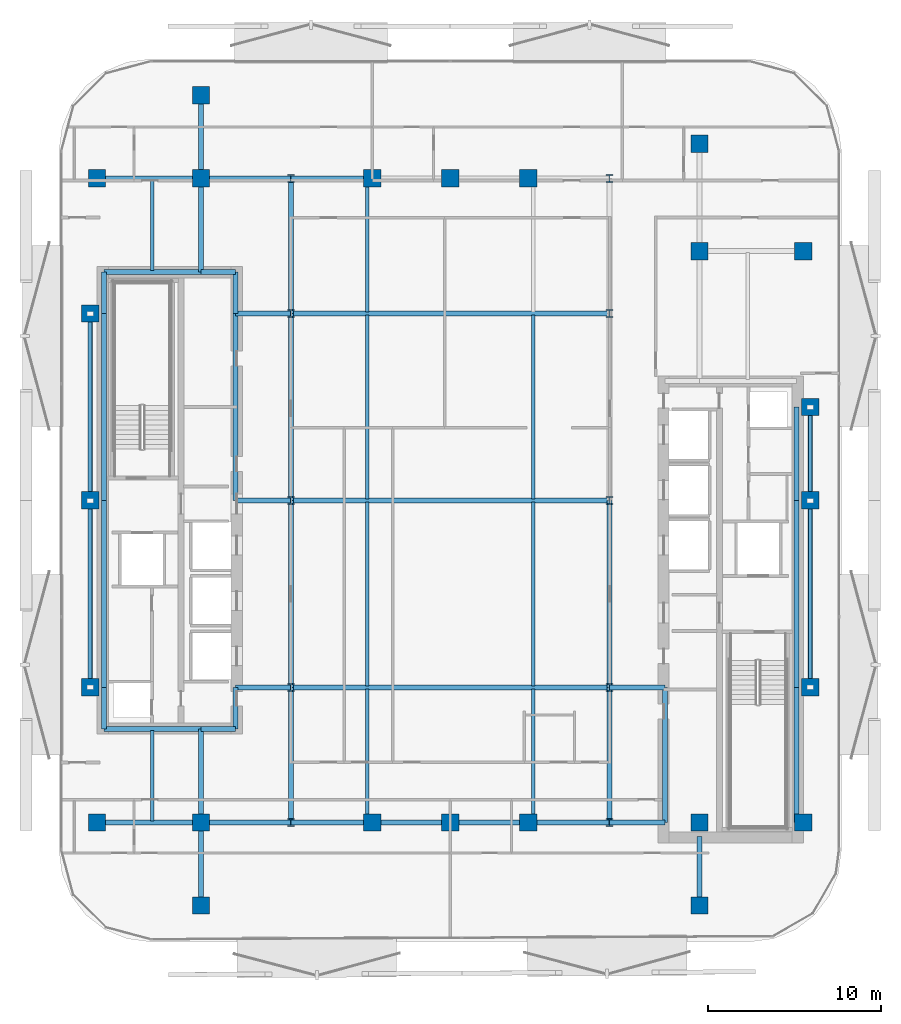
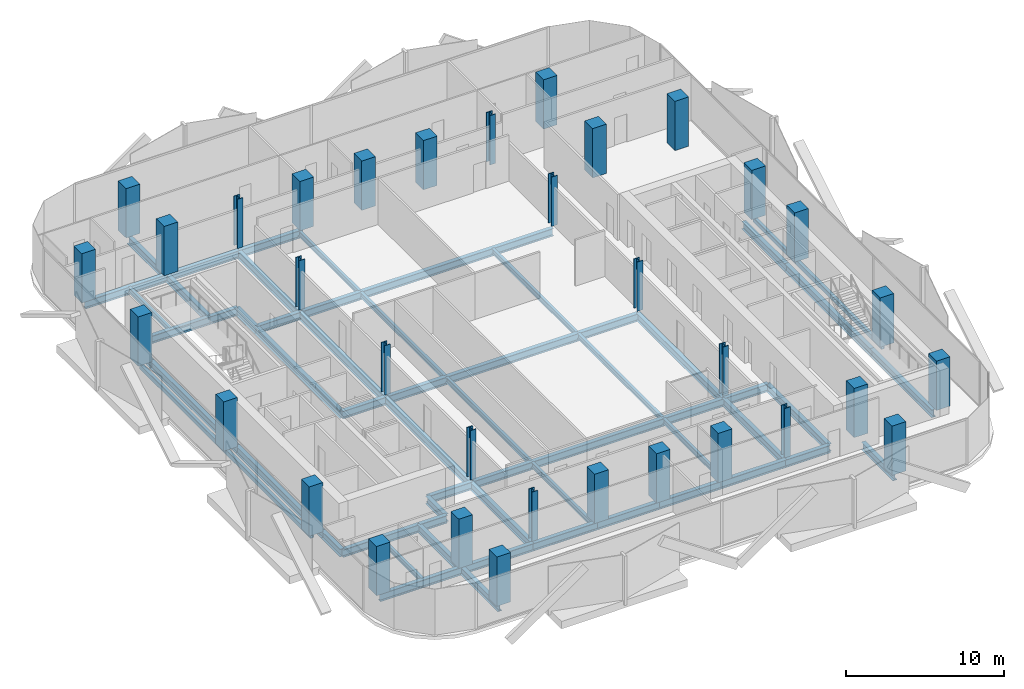
# One storey, part 1 of 16: 56 beams, 34 columns.
"""IFC4 building model written with IfcOpenShell, lengths in metres."""

import ifcopenshell
import ifcopenshell.guid

model = None  # the IFC model being written
_history = None  # IfcOwnerHistory: only IFC2X3 demands one
_inside = {}  # id of a spatial element -> (the spatial element, [elements in it])
_under = {}  # id of a project, library or spatial element -> (it, [spatial elements below it])
_declared = {}  # id of a project -> (the project, [libraries it declares])
_typed = {}  # id of a type object -> (the type object, [elements of that type])
_made_of = {}  # id of a material, layer set ... -> (it, [elements and type objects made of it])


def new_model(schema):
    """Start an empty IFC model of exactly this schema.

    Asked for "IFC4X3", IfcOpenShell would pick the latest addendum, in which some entities
    have other attributes; the version numbers below select the first issue.
    IFC2X3 requires an IfcOwnerHistory on every rooted entity: one is made here for all.
    """
    global model, _history
    if schema == "IFC4X3":
        model = ifcopenshell.file(schema_version=(4, 3, 0, 0))
    else:
        model = ifcopenshell.file(schema=schema)
    _inside.clear()
    _under.clear()
    _declared.clear()
    _typed.clear()
    _made_of.clear()
    _history = None
    if model.schema == "IFC2X3":
        org = make("IfcOrganization", Name="unknown")
        user = make(
            "IfcPersonAndOrganization",
            ThePerson=make("IfcPerson", FamilyName="unknown"),
            TheOrganization=org,
        )
        app = make(
            "IfcApplication",
            ApplicationDeveloper=org,
            Version="unknown",
            ApplicationFullName="unknown",
            ApplicationIdentifier="unknown",
        )
        _history = make(
            "IfcOwnerHistory",
            OwningUser=user,
            OwningApplication=app,
            ChangeAction="ADDED",
            CreationDate=0,
        )
    return model


def make(cls, **values):
    """One entity of the class cls with the attributes given. An attribute that is None is left unset."""
    return model.create_entity(
        cls, **{name: value for name, value in values.items() if value is not None}
    )


def rooted(cls, **values):
    """An entity with a GlobalId (a new one), such as an element, a storey or a relation."""
    return make(cls, GlobalId=ifcopenshell.guid.new(), OwnerHistory=_history, **values)


def si_unit(unit_type, name, prefix=None):
    """IfcSIUnit, for example si_unit("LENGTHUNIT", "METRE", prefix="MILLI")."""
    return make("IfcSIUnit", UnitType=unit_type, Prefix=prefix, Name=name)


def assignment(units):
    """IfcUnitAssignment: the units of a project."""
    return None if units is None else make("IfcUnitAssignment", Units=units)


def point(xyz):
    """IfcCartesianPoint."""
    return None if xyz is None else make("IfcCartesianPoint", Coordinates=xyz)


def direction(xyz):
    """IfcDirection."""
    return None if xyz is None else make("IfcDirection", DirectionRatios=xyz)


def frame(location, z_axis=None, x_axis=None):
    """IfcAxis2Placement3D, a coordinate frame: its origin and axes. An axis left out is left unset."""
    return make(
        "IfcAxis2Placement3D",
        Location=point(location),
        Axis=direction(z_axis),
        RefDirection=direction(x_axis),
    )


def frame_2d(location, x_axis=None):
    """IfcAxis2Placement2D, a coordinate frame in the plane: its origin and x axis."""
    return make(
        "IfcAxis2Placement2D", Location=point(location), RefDirection=direction(x_axis)
    )


def origin():
    """The frame at (0, 0, 0) with its axes left unset."""
    return frame((0.0, 0.0, 0.0))


def origin_2d():
    """The frame at (0, 0) in the plane with its x axis left unset."""
    return frame_2d((0.0, 0.0))


def place(relative_to, where):
    """IfcLocalPlacement: puts the frame where relative to a parent placement (None: the world)."""
    return make(
        "IfcLocalPlacement", PlacementRelTo=relative_to, RelativePlacement=where
    )


def context(
    kind, dimensions, precision=None, world=None, true_north=None, identifier=None
):
    """IfcGeometricRepresentationContext, for example the 3D "Model" context."""
    return make(
        "IfcGeometricRepresentationContext",
        ContextIdentifier=identifier,
        ContextType=kind,
        CoordinateSpaceDimension=dimensions,
        Precision=precision,
        WorldCoordinateSystem=world,
        TrueNorth=true_north,
    )


def subcontext(parent, identifier, kind, view, scale=None):
    """IfcGeometricRepresentationSubContext, for example "Body" below "Model"."""
    return make(
        "IfcGeometricRepresentationSubContext",
        ContextIdentifier=identifier,
        ContextType=kind,
        ParentContext=parent,
        TargetScale=scale,
        TargetView=view,
    )


def project(units=None, contexts=None):
    """IfcProject with its units and contexts."""
    return rooted(
        "IfcProject",
        Name="project",
        RepresentationContexts=contexts,
        UnitsInContext=assignment(units),
    )


def spatial(cls, under=None, at=None, **own):
    """A site, building, storey or space (cls), placed at a placement, below another one or the project."""
    s = rooted(cls, ObjectPlacement=at, **own)
    if under is not None:
        _under.setdefault(under.id(), (under, []))[1].append(s)
    return s


def profile(cls, at=None, kind="AREA", **sizes):
    """A parametric profile (cls). Its sizes go by their IFC names, for example OverallWidth=200.0."""
    return make(cls, ProfileType=kind, Position=at, **sizes)


def rectangle(**sizes):
    """IfcRectangleProfileDef."""
    return profile("IfcRectangleProfileDef", **sizes)


def hollow_rectangle(**sizes):
    """IfcRectangleHollowProfileDef."""
    return profile("IfcRectangleHollowProfileDef", **sizes)


def i_section(**sizes):
    """IfcIShapeProfileDef."""
    return profile("IfcIShapeProfileDef", **sizes)


def extrude(swept, where, along, depth):
    """IfcExtrudedAreaSolid: the profile swept, set in the frame where, extruded along a direction by depth."""
    return make(
        "IfcExtrudedAreaSolid",
        SweptArea=swept,
        Position=where,
        ExtrudedDirection=direction(along),
        Depth=depth,
    )


def shape(context_of_items, identifier, shape_type, items):
    """IfcShapeRepresentation: the items that make up one representation, for example the "Body"."""
    return make(
        "IfcShapeRepresentation",
        ContextOfItems=context_of_items,
        RepresentationIdentifier=identifier,
        RepresentationType=shape_type,
        Items=items,
    )


def material(Name=None, Category=None):
    """IfcMaterial."""
    return make("IfcMaterial", Name=Name, Category=Category)


def material_profile(
    of_material, cross_section, Name=None, Category=None, Priority=None
):
    """IfcMaterialProfile: a cross section and its material."""
    return make(
        "IfcMaterialProfile",
        Name=Name,
        Material=of_material,
        Profile=cross_section,
        Priority=Priority,
        Category=Category,
    )


def profile_set(profiles, Name=None, composite=None):
    """IfcMaterialProfileSet."""
    return make(
        "IfcMaterialProfileSet",
        Name=Name,
        MaterialProfiles=profiles,
        CompositeProfile=composite,
    )


def made_of(thing, what):
    """Note that an element or type object is made of a material, layer set ...; save() writes the relation."""
    if what is not None:
        _made_of.setdefault(what.id(), (what, []))[1].append(thing)
    return thing


def type_object(cls, material=None, **own):
    """A type object (cls), such as IfcWallType, which elements share."""
    return made_of(rooted(cls, **own), material)


def element(
    cls,
    number,
    at=None,
    inside=None,
    cuts=None,
    type_object=None,
    material=None,
    context=None,
    identifier="Body",
    shape_type=None,
    held_by="IfcProductDefinitionShape",
    body=None,
    shapes=None,
    **own,
):
    """One element of the class cls, such as IfcWall. Its Tag is "e" and its number.

    at: its placement. inside: the storey or other place that contains it. cuts: it is an
    opening in that element (IfcRelVoidsElement). A single representation is given by context,
    identifier, shape_type and body (its items); several are given by shapes. held_by: the class
    of the entity that holds the representations. save() writes the other relations.
    """
    e = rooted(cls, Tag="e%d" % number, ObjectPlacement=at, **own)
    if body is not None:
        shapes = [shape(context, identifier, shape_type, body)]
    if shapes is not None:
        e.Representation = make(held_by, Representations=shapes)
    if inside is not None:
        _inside.setdefault(inside.id(), (inside, []))[1].append(e)
    if cuts is not None:
        rooted(
            "IfcRelVoidsElement", RelatingBuildingElement=cuts, RelatedOpeningElement=e
        )
    if type_object is not None:
        _typed.setdefault(type_object.id(), (type_object, []))[1].append(e)
    return made_of(e, material)


def aggregate(whole, parts):
    """IfcRelAggregates: a whole, such as a stair, and the parts it consists of."""
    return rooted("IfcRelAggregates", RelatingObject=whole, RelatedObjects=parts)


def save(model, path):
    """Write the relations noted so far, then the file.

    IfcRelAggregates (storeys below a building ...), IfcRelContainedInSpatialStructure (elements
    in a storey), IfcRelDefinesByType, IfcRelAssociatesMaterial and IfcRelDeclares: one each for
    every whole, place, type object, material and project.
    """
    for whole, parts in _under.values():
        aggregate(whole, parts)
    for where, things in _inside.values():
        rooted(
            "IfcRelContainedInSpatialStructure",
            RelatedElements=things,
            RelatingStructure=where,
        )
    for kind, things in _typed.values():
        rooted("IfcRelDefinesByType", RelatedObjects=things, RelatingType=kind)
    for what, things in _made_of.values():
        rooted("IfcRelAssociatesMaterial", RelatedObjects=things, RelatingMaterial=what)
    for by, libraries in _declared.values():
        rooted("IfcRelDeclares", RelatingContext=by, RelatedDefinitions=libraries)
    model.write(path)


model = new_model("IFC4")

# Units and contexts
model_context = context("Model", 3, precision=1e-05, world=origin(), true_north=direction((0.0, 1.0)))
body_context = subcontext(model_context, "Body", "Model", "MODEL_VIEW")
ifc_project = project(units=[si_unit("LENGTHUNIT", "METRE"), si_unit("AREAUNIT", "SQUARE_METRE"), si_unit("VOLUMEUNIT", "CUBIC_METRE"), si_unit("PLANEANGLEUNIT", "RADIAN"), si_unit("MASSUNIT", "GRAM", prefix="KILO")], contexts=[model_context])

# Site, building, storey
site_placement = place(None, origin())
site = spatial("IfcSite", under=ifc_project, at=site_placement, CompositionType="ELEMENT")
building_placement = place(site_placement, origin())
building = spatial("IfcBuilding", under=site, at=building_placement, Name="Khairoan Windgate Tower", CompositionType="ELEMENT")
storey_placement = place(building_placement, frame((0.0, 0.0, 206.800048828125)))
storey = spatial("IfcBuildingStorey", under=building, at=storey_placement, Name="L48", CompositionType="ELEMENT", Elevation=206.800048828125)

# Columns
ifc_material_1 = material(Name="Concrete C50/60", Category="concrete")
ifc_material_profile_1 = material_profile(ifc_material_1, rectangle(XDim=1.0, YDim=1.0, at=origin_2d()))
ifc_profile_set_1 = profile_set([ifc_material_profile_1], Name="Concrete C50/60")
column_type_1 = type_object("IfcColumnType", Name="Column C-T4 RC1000x1000", PredefinedType="COLUMN", material=ifc_profile_set_1)
for number, where, z_axis, x_axis, name in (
    (1, (-20.39990234375, -18.60009765625, 0.0), (0.0, 0.0, 1.0), (1.0, 0.0, 0.0), "Column L48-11"),
    (2, (-20.39990234375, 18.60009765625, 0.0), (0.0, 0.0, 1.0), (1.0, 0.0, 0.0), "Column L48-12"),
    (3, (20.39990234375, -18.60009765625, 0.0), (0.0, 0.0, 1.0), (1.0, 0.0, 0.0), "Column L48-13"),
    (4, (20.39990234375, 14.39990234375, 0.0), (0.0, 0.0, 1.0), (1.0, 0.0, 0.0), "Column L48-14"),
    (5, (-14.39990234375, -18.60009765625, 0.0), (0.0, 0.0, 1.0), (1.0, 0.0, 0.0), "Column L48-15"),
    (6, (-14.39990234375, 18.60009765625, 0.0), (0.0, 0.0, 1.0), (1.0, 0.0, 0.0), "Column L48-16"),
    (7, (14.39990234375, -18.60009765625, 0.0), (0.0, 0.0, 1.0), (1.0, 0.0, 0.0), "Column L48-17"),
    (8, (14.39990234375, 14.39990234375, 0.0), (0.0, 0.0, 1.0), (1.0, 0.0, 0.0), "Column L48-18"),
    (9, (-4.5, -18.60009765625, 0.0), (0.0, 0.0, 1.0), (1.0, 0.0, 0.0), "Column L48-19"),
    (10, (0.0, -18.60009765625, 0.0), (0.0, 0.0, 1.0), (1.0, 0.0, 0.0), "Column L48-20"),
    (11, (4.5, -18.60009765625, 0.0), (0.0, 0.0, 1.0), (1.0, 0.0, 0.0), "Column L48-21"),
    (12, (-4.5, 18.60009765625, 0.0), (0.0, 0.0, 1.0), (1.0, 0.0, 0.0), "Column L48-22"),
    (13, (0.0, 18.60009765625, 0.0), (0.0, 0.0, 1.0), (1.0, 0.0, 0.0), "Column L48-23"),
    (14, (4.5, 18.60009765625, 0.0), (0.0, 0.0, 1.0), (1.0, 0.0, 0.0), "Column L48-24"),
    (15, (-20.800048828125, -10.800048828125, 0.0), (0.0, 0.0, 1.0), (1.0, 0.0, 0.0), "Column L48-25"),
    (16, (-20.800048828125, 0.0, 0.0), (0.0, 0.0, 1.0), (1.0, 0.0, 0.0), "Column L48-26"),
    (17, (-20.800048828125, 10.800048828125, 0.0), (0.0, 0.0, 1.0), (1.0, 0.0, 0.0), "Column L48-27"),
    (18, (20.800048828125, -10.800048828125, 0.0), (0.0, 0.0, 1.0), (1.0, 0.0, 0.0), "Column L48-28"),
    (19, (20.800048828125, 0.0, 0.0), (0.0, 0.0, 1.0), (1.0, 0.0, 0.0), "Column L48-29"),
    (20, (20.800048828125, 5.39990234375, 0.0), (0.0, 0.0, 1.0), (1.0, 0.0, 0.0), "Column L48-30"),
    (21, (-14.39990234375, -23.39990234375, 0.0), (0.0, 0.0, 1.0), (1.0, 0.0, 0.0), "Column L48-31"),
    (22, (-14.39990234375, 23.39990234375, 0.0), (0.0, 0.0, 1.0), (1.0, 0.0, 0.0), "Column L48-32"),
    (23, (14.39990234375, -23.39990234375, 0.0), (0.0, 0.0, 1.0), (1.0, 0.0, 0.0), "Column L48-33"),
    (24, (14.39990234375, 20.60009765625, 0.0), (0.0, 0.0, 1.0), (1.0, 0.0, 0.0), "Column L48-34"),
):
    element("IfcColumn", number, at=place(storey_placement, frame(where, z_axis=z_axis, x_axis=x_axis)), inside=storey, type_object=column_type_1, Name=name, PredefinedType="COLUMN", context=body_context, shape_type="SweptSolid", body=[
        extrude(rectangle(XDim=1.0, YDim=1.0, at=origin_2d()), origin(), (0.0, 0.0, 1.0), 3.800048828125),
    ])
ifc_material_2 = material(Name="Steel S355", Category="steel")
ifc_material_profile_2 = material_profile(ifc_material_2, i_section(OverallWidth=0.4169921875, OverallDepth=0.4580078125, WebThickness=0.030029296875, FlangeThickness=0.050048828125, FilletRadius=0.02197265625, at=origin_2d()))
ifc_profile_set_2 = profile_set([ifc_material_profile_2], Name="Steel S355")
column_type_2 = type_object("IfcColumnType", Name="Steel Column SC2 H458x417x30x50", PredefinedType="COLUMN", material=ifc_profile_set_2)
for number, where, z_axis, x_axis, name in (
    (25, (-9.199951171875, -18.60009765625, 0.0), (0.0, 0.0, 1.0), (1.0, 0.0, 0.0), "Column L48-01"),
    (26, (-9.199951171875, -10.800048828125, 0.0), (0.0, 0.0, 1.0), (1.0, 0.0, 0.0), "Column L48-02"),
    (27, (-9.199951171875, 0.0, 0.0), (0.0, 0.0, 1.0), (1.0, 0.0, 0.0), "Column L48-03"),
    (28, (-9.199951171875, 10.800048828125, 0.0), (0.0, 0.0, 1.0), (1.0, 0.0, 0.0), "Column L48-04"),
    (29, (-9.199951171875, 18.60009765625, 0.0), (0.0, 0.0, 1.0), (1.0, 0.0, 0.0), "Column L48-05"),
    (30, (9.199951171875, -18.60009765625, 0.0), (0.0, 0.0, 1.0), (1.0, 0.0, 0.0), "Column L48-06"),
    (31, (9.199951171875, -10.800048828125, 0.0), (0.0, 0.0, 1.0), (1.0, 0.0, 0.0), "Column L48-07"),
    (32, (9.199951171875, 0.0, 0.0), (0.0, 0.0, 1.0), (1.0, 0.0, 0.0), "Column L48-08"),
    (33, (9.199951171875, 10.800048828125, 0.0), (0.0, 0.0, 1.0), (1.0, 0.0, 0.0), "Column L48-09"),
    (34, (9.199951171875, 18.60009765625, 0.0), (0.0, 0.0, 1.0), (1.0, 0.0, 0.0), "Column L48-10"),
):
    element("IfcColumn", number, at=place(storey_placement, frame(where, z_axis=z_axis, x_axis=x_axis)), inside=storey, type_object=column_type_2, Name=name, PredefinedType="COLUMN", context=body_context, shape_type="SweptSolid", body=[
        extrude(i_section(OverallWidth=0.4169921875, OverallDepth=0.4580078125, WebThickness=0.030029296875, FlangeThickness=0.050048828125, FilletRadius=0.02197265625, at=origin_2d()), origin(), (0.0, 0.0, 1.0), 3.800048828125),
    ])

# Beams
ifc_material_3 = material(Name="Steel S355", Category="steel")
ifc_material_profile_3 = material_profile(ifc_material_3, i_section(OverallWidth=0.300048828125, OverallDepth=0.587890625, WebThickness=0.011962890625, FlangeThickness=0.02001953125, FilletRadius=0.02392578125, at=origin_2d()))
ifc_profile_set_3 = profile_set([ifc_material_profile_3], Name="Steel S355")
beam_type_1 = type_object("IfcBeamType", Name="Beam B-G4 H588x300x12x20", PredefinedType="BEAM", material=ifc_profile_set_3)
beam_1_placement = place(storey_placement, frame((-20.39990234375, -18.60009765625, -0.553955078125), z_axis=(1.0, 0.0, 0.0), x_axis=(0.0, 1.0, 0.0)))
element("IfcBeam", 35, at=beam_1_placement, inside=storey, type_object=beam_type_1, Name="L48 E-W Primary Girder 01", PredefinedType="BEAM", context=body_context, shape_type="SweptSolid", body=[
    extrude(i_section(OverallWidth=0.300048828125, OverallDepth=0.587890625, WebThickness=0.011962890625, FlangeThickness=0.02001953125, FilletRadius=0.02392578125, at=origin_2d()), origin(), (0.0, 0.0, 1.0), 6.0),
])
beam_2_placement = place(storey_placement, frame((-14.39990234375, -18.60009765625, -0.553955078125), z_axis=(1.0, 0.0, 0.0), x_axis=(0.0, 1.0, 0.0)))
element("IfcBeam", 36, at=beam_2_placement, inside=storey, type_object=beam_type_1, Name="L48 E-W Primary Girder 02", PredefinedType="BEAM", context=body_context, shape_type="SweptSolid", body=[
    extrude(i_section(OverallWidth=0.300048828125, OverallDepth=0.587890625, WebThickness=0.011962890625, FlangeThickness=0.02001953125, FilletRadius=0.02392578125, at=origin_2d()), origin(), (0.0, 0.0, 1.0), 5.199951171875),
])
beam_3_placement = place(storey_placement, frame((-9.199951171875, -18.60009765625, -0.553955078125), z_axis=(1.0, 0.0, 0.0), x_axis=(0.0, 1.0, 0.0)))
element("IfcBeam", 37, at=beam_3_placement, inside=storey, type_object=beam_type_1, Name="L48 E-W Primary Girder 03", PredefinedType="BEAM", context=body_context, shape_type="SweptSolid", body=[
    extrude(i_section(OverallWidth=0.300048828125, OverallDepth=0.587890625, WebThickness=0.011962890625, FlangeThickness=0.02001953125, FilletRadius=0.02392578125, at=origin_2d()), origin(), (0.0, 0.0, 1.0), 4.699951171875),
])
for number, where, z_axis, x_axis, name in (
    (38, (-4.5, -18.60009765625, -0.553955078125), (1.0, 0.0, 0.0), (0.0, 1.0, 0.0), "L48 E-W Primary Girder 04"),
    (39, (0.0, -18.60009765625, -0.553955078125), (1.0, 0.0, 0.0), (0.0, 1.0, 0.0), "L48 E-W Primary Girder 05"),
):
    element("IfcBeam", number, at=place(storey_placement, frame(where, z_axis=z_axis, x_axis=x_axis)), inside=storey, type_object=beam_type_1, Name=name, PredefinedType="BEAM", context=body_context, shape_type="SweptSolid", body=[
        extrude(i_section(OverallWidth=0.300048828125, OverallDepth=0.587890625, WebThickness=0.011962890625, FlangeThickness=0.02001953125, FilletRadius=0.02392578125, at=origin_2d()), origin(), (0.0, 0.0, 1.0), 4.5),
    ])
beam_4_placement = place(storey_placement, frame((4.5, -18.60009765625, -0.553955078125), z_axis=(1.0, 0.0, 0.0), x_axis=(0.0, 1.0, 0.0)))
element("IfcBeam", 40, at=beam_4_placement, inside=storey, type_object=beam_type_1, Name="L48 E-W Primary Girder 06", PredefinedType="BEAM", context=body_context, shape_type="SweptSolid", body=[
    extrude(i_section(OverallWidth=0.300048828125, OverallDepth=0.587890625, WebThickness=0.011962890625, FlangeThickness=0.02001953125, FilletRadius=0.02392578125, at=origin_2d()), origin(), (0.0, 0.0, 1.0), 4.699951171875),
])
beam_5_placement = place(storey_placement, frame((9.199951171875, -18.60009765625, -0.553955078125), z_axis=(1.0, 0.0, 0.0), x_axis=(0.0, 1.0, 0.0)))
element("IfcBeam", 41, at=beam_5_placement, inside=storey, type_object=beam_type_1, Name="L48 E-W Primary Girder 07", PredefinedType="BEAM", context=body_context, shape_type="SweptSolid", body=[
    extrude(i_section(OverallWidth=0.300048828125, OverallDepth=0.587890625, WebThickness=0.011962890625, FlangeThickness=0.02001953125, FilletRadius=0.02392578125, at=origin_2d()), origin(), (0.0, 0.0, 1.0), 3.199951171875),
])
beam_6_placement = place(storey_placement, frame((-20.0, -13.199951171875, -0.553955078125), z_axis=(1.0, 0.0, 0.0), x_axis=(0.0, 1.0, 0.0)))
element("IfcBeam", 42, at=beam_6_placement, inside=storey, type_object=beam_type_1, Name="L48 E-W Primary Girder 08", PredefinedType="BEAM", context=body_context, shape_type="SweptSolid", body=[
    extrude(i_section(OverallWidth=0.300048828125, OverallDepth=0.587890625, WebThickness=0.011962890625, FlangeThickness=0.02001953125, FilletRadius=0.02392578125, at=origin_2d()), origin(), (0.0, 0.0, 1.0), 5.60009765625),
])
beam_7_placement = place(storey_placement, frame((-14.39990234375, -13.199951171875, -0.553955078125), z_axis=(1.0, 0.0, 0.0), x_axis=(0.0, 1.0, 0.0)))
element("IfcBeam", 43, at=beam_7_placement, inside=storey, type_object=beam_type_1, Name="L48 E-W Primary Girder 09", PredefinedType="BEAM", context=body_context, shape_type="SweptSolid", body=[
    extrude(i_section(OverallWidth=0.300048828125, OverallDepth=0.587890625, WebThickness=0.011962890625, FlangeThickness=0.02001953125, FilletRadius=0.02392578125, at=origin_2d()), origin(), (0.0, 0.0, 1.0), 2.0),
])
beam_8_placement = place(storey_placement, frame((-12.39990234375, -10.800048828125, -0.553955078125), z_axis=(1.0, 0.0, 0.0), x_axis=(0.0, 1.0, 0.0)))
element("IfcBeam", 44, at=beam_8_placement, inside=storey, type_object=beam_type_1, Name="L48 E-W Primary Girder 10", PredefinedType="BEAM", context=body_context, shape_type="SweptSolid", body=[
    extrude(i_section(OverallWidth=0.300048828125, OverallDepth=0.587890625, WebThickness=0.011962890625, FlangeThickness=0.02001953125, FilletRadius=0.02392578125, at=origin_2d()), origin(), (0.0, 0.0, 1.0), 3.199951171875),
])
beam_9_placement = place(storey_placement, frame((-9.199951171875, -10.800048828125, -0.553955078125), z_axis=(1.0, 0.0, 0.0), x_axis=(0.0, 1.0, 0.0)))
element("IfcBeam", 45, at=beam_9_placement, inside=storey, type_object=beam_type_1, Name="L48 E-W Primary Girder 11", PredefinedType="BEAM", context=body_context, shape_type="SweptSolid", body=[
    extrude(i_section(OverallWidth=0.300048828125, OverallDepth=0.587890625, WebThickness=0.011962890625, FlangeThickness=0.02001953125, FilletRadius=0.02392578125, at=origin_2d()), origin(), (0.0, 0.0, 1.0), 18.39990234375),
])
for number, where, z_axis, x_axis, name in (
    (46, (9.199951171875, -10.800048828125, -0.553955078125), (1.0, 0.0, 0.0), (0.0, 1.0, 0.0), "L48 E-W Primary Girder 12"),
    (47, (-12.39990234375, 0.0, -0.553955078125), (1.0, 0.0, 0.0), (0.0, 1.0, 0.0), "L48 E-W Primary Girder 13"),
):
    element("IfcBeam", number, at=place(storey_placement, frame(where, z_axis=z_axis, x_axis=x_axis)), inside=storey, type_object=beam_type_1, Name=name, PredefinedType="BEAM", context=body_context, shape_type="SweptSolid", body=[
        extrude(i_section(OverallWidth=0.300048828125, OverallDepth=0.587890625, WebThickness=0.011962890625, FlangeThickness=0.02001953125, FilletRadius=0.02392578125, at=origin_2d()), origin(), (0.0, 0.0, 1.0), 3.199951171875),
    ])
beam_10_placement = place(storey_placement, frame((-9.199951171875, 0.0, -0.553955078125), z_axis=(1.0, 0.0, 0.0), x_axis=(0.0, 1.0, 0.0)))
element("IfcBeam", 48, at=beam_10_placement, inside=storey, type_object=beam_type_1, Name="L48 E-W Primary Girder 14", PredefinedType="BEAM", context=body_context, shape_type="SweptSolid", body=[
    extrude(i_section(OverallWidth=0.300048828125, OverallDepth=0.587890625, WebThickness=0.011962890625, FlangeThickness=0.02001953125, FilletRadius=0.02392578125, at=origin_2d()), origin(), (0.0, 0.0, 1.0), 18.39990234375),
])
beam_11_placement = place(storey_placement, frame((-12.39990234375, 10.800048828125, -0.553955078125), z_axis=(1.0, 0.0, 0.0), x_axis=(0.0, 1.0, 0.0)))
element("IfcBeam", 49, at=beam_11_placement, inside=storey, type_object=beam_type_1, Name="L48 E-W Primary Girder 17", PredefinedType="BEAM", context=body_context, shape_type="SweptSolid", body=[
    extrude(i_section(OverallWidth=0.300048828125, OverallDepth=0.587890625, WebThickness=0.011962890625, FlangeThickness=0.02001953125, FilletRadius=0.02392578125, at=origin_2d()), origin(), (0.0, 0.0, 1.0), 3.199951171875),
])
beam_12_placement = place(storey_placement, frame((-9.199951171875, 10.800048828125, -0.553955078125), z_axis=(1.0, 0.0, 0.0), x_axis=(0.0, 1.0, 0.0)))
element("IfcBeam", 50, at=beam_12_placement, inside=storey, type_object=beam_type_1, Name="L48 E-W Primary Girder 18", PredefinedType="BEAM", context=body_context, shape_type="SweptSolid", body=[
    extrude(i_section(OverallWidth=0.300048828125, OverallDepth=0.587890625, WebThickness=0.011962890625, FlangeThickness=0.02001953125, FilletRadius=0.02392578125, at=origin_2d()), origin(), (0.0, 0.0, 1.0), 18.39990234375),
])
beam_13_placement = place(storey_placement, frame((-20.0, 13.199951171875, -0.553955078125), z_axis=(1.0, 0.0, 0.0), x_axis=(0.0, 1.0, 0.0)))
element("IfcBeam", 51, at=beam_13_placement, inside=storey, type_object=beam_type_1, Name="L48 E-W Primary Girder 19", PredefinedType="BEAM", context=body_context, shape_type="SweptSolid", body=[
    extrude(i_section(OverallWidth=0.300048828125, OverallDepth=0.587890625, WebThickness=0.011962890625, FlangeThickness=0.02001953125, FilletRadius=0.02392578125, at=origin_2d()), origin(), (0.0, 0.0, 1.0), 5.60009765625),
])
beam_14_placement = place(storey_placement, frame((-14.39990234375, 13.199951171875, -0.553955078125), z_axis=(1.0, 0.0, 0.0), x_axis=(0.0, 1.0, 0.0)))
element("IfcBeam", 52, at=beam_14_placement, inside=storey, type_object=beam_type_1, Name="L48 E-W Primary Girder 20", PredefinedType="BEAM", context=body_context, shape_type="SweptSolid", body=[
    extrude(i_section(OverallWidth=0.300048828125, OverallDepth=0.587890625, WebThickness=0.011962890625, FlangeThickness=0.02001953125, FilletRadius=0.02392578125, at=origin_2d()), origin(), (0.0, 0.0, 1.0), 2.0),
])
beam_15_placement = place(storey_placement, frame((-20.39990234375, 18.60009765625, -0.553955078125), z_axis=(1.0, 0.0, 0.0), x_axis=(0.0, 1.0, 0.0)))
element("IfcBeam", 53, at=beam_15_placement, inside=storey, type_object=beam_type_1, Name="L48 E-W Primary Girder 22", PredefinedType="BEAM", context=body_context, shape_type="SweptSolid", body=[
    extrude(i_section(OverallWidth=0.300048828125, OverallDepth=0.587890625, WebThickness=0.011962890625, FlangeThickness=0.02001953125, FilletRadius=0.02392578125, at=origin_2d()), origin(), (0.0, 0.0, 1.0), 6.0),
])
beam_16_placement = place(storey_placement, frame((-14.39990234375, 18.60009765625, -0.553955078125), z_axis=(1.0, 0.0, 0.0), x_axis=(0.0, 1.0, 0.0)))
element("IfcBeam", 54, at=beam_16_placement, inside=storey, type_object=beam_type_1, Name="L48 E-W Primary Girder 23", PredefinedType="BEAM", context=body_context, shape_type="SweptSolid", body=[
    extrude(i_section(OverallWidth=0.300048828125, OverallDepth=0.587890625, WebThickness=0.011962890625, FlangeThickness=0.02001953125, FilletRadius=0.02392578125, at=origin_2d()), origin(), (0.0, 0.0, 1.0), 5.199951171875),
])
beam_17_placement = place(storey_placement, frame((-9.199951171875, 18.60009765625, -0.553955078125), z_axis=(1.0, 0.0, 0.0), x_axis=(0.0, 1.0, 0.0)))
element("IfcBeam", 55, at=beam_17_placement, inside=storey, type_object=beam_type_1, Name="L48 E-W Primary Girder 24", PredefinedType="BEAM", context=body_context, shape_type="SweptSolid", body=[
    extrude(i_section(OverallWidth=0.300048828125, OverallDepth=0.587890625, WebThickness=0.011962890625, FlangeThickness=0.02001953125, FilletRadius=0.02392578125, at=origin_2d()), origin(), (0.0, 0.0, 1.0), 4.699951171875),
])
beam_18_placement = place(storey_placement, frame((-20.0, -13.199951171875, -0.553955078125), z_axis=(0.0, 1.0, 0.0), x_axis=(-1.0, 0.0, 0.0)))
element("IfcBeam", 56, at=beam_18_placement, inside=storey, type_object=beam_type_1, Name="L48 N-S Primary Beam 30", PredefinedType="BEAM", context=body_context, shape_type="SweptSolid", body=[
    extrude(i_section(OverallWidth=0.300048828125, OverallDepth=0.587890625, WebThickness=0.011962890625, FlangeThickness=0.02001953125, FilletRadius=0.02392578125, at=origin_2d()), origin(), (0.0, 0.0, 1.0), 2.39990234375),
])
for number, where, z_axis, x_axis, name in (
    (57, (-20.0, -10.800048828125, -0.553955078125), (0.0, 1.0, 0.0), (-1.0, 0.0, 0.0), "L48 N-S Primary Beam 31"),
    (58, (-20.0, 0.0, -0.553955078125), (0.0, 1.0, 0.0), (-1.0, 0.0, 0.0), "L48 N-S Primary Beam 32"),
):
    element("IfcBeam", number, at=place(storey_placement, frame(where, z_axis=z_axis, x_axis=x_axis)), inside=storey, type_object=beam_type_1, Name=name, PredefinedType="BEAM", context=body_context, shape_type="SweptSolid", body=[
        extrude(i_section(OverallWidth=0.300048828125, OverallDepth=0.587890625, WebThickness=0.011962890625, FlangeThickness=0.02001953125, FilletRadius=0.02392578125, at=origin_2d()), origin(), (0.0, 0.0, 1.0), 10.800048828125),
    ])
beam_19_placement = place(storey_placement, frame((-20.0, 10.800048828125, -0.553955078125), z_axis=(0.0, 1.0, 0.0), x_axis=(-1.0, 0.0, 0.0)))
element("IfcBeam", 59, at=beam_19_placement, inside=storey, type_object=beam_type_1, Name="L48 N-S Primary Beam 33", PredefinedType="BEAM", context=body_context, shape_type="SweptSolid", body=[
    extrude(i_section(OverallWidth=0.300048828125, OverallDepth=0.587890625, WebThickness=0.011962890625, FlangeThickness=0.02001953125, FilletRadius=0.02392578125, at=origin_2d()), origin(), (0.0, 0.0, 1.0), 2.39990234375),
])
beam_20_placement = place(storey_placement, frame((-14.39990234375, -23.39990234375, -0.553955078125), z_axis=(0.0, 1.0, 0.0), x_axis=(-1.0, 0.0, 0.0)))
element("IfcBeam", 60, at=beam_20_placement, inside=storey, type_object=beam_type_1, Name="L48 N-S Primary Beam 34", PredefinedType="BEAM", context=body_context, shape_type="SweptSolid", body=[
    extrude(i_section(OverallWidth=0.300048828125, OverallDepth=0.587890625, WebThickness=0.011962890625, FlangeThickness=0.02001953125, FilletRadius=0.02392578125, at=origin_2d()), origin(), (0.0, 0.0, 1.0), 4.7998046875),
])
for number, where, z_axis, x_axis, name in (
    (61, (-14.39990234375, -18.60009765625, -0.553955078125), (0.0, 1.0, 0.0), (-1.0, 0.0, 0.0), "L48 N-S Primary Beam 35"),
    (62, (-14.39990234375, 13.199951171875, -0.553955078125), (0.0, 1.0, 0.0), (-1.0, 0.0, 0.0), "L48 N-S Primary Beam 36"),
):
    element("IfcBeam", number, at=place(storey_placement, frame(where, z_axis=z_axis, x_axis=x_axis)), inside=storey, type_object=beam_type_1, Name=name, PredefinedType="BEAM", context=body_context, shape_type="SweptSolid", body=[
        extrude(i_section(OverallWidth=0.300048828125, OverallDepth=0.587890625, WebThickness=0.011962890625, FlangeThickness=0.02001953125, FilletRadius=0.02392578125, at=origin_2d()), origin(), (0.0, 0.0, 1.0), 5.400146484375),
    ])
beam_21_placement = place(storey_placement, frame((-14.39990234375, 18.60009765625, -0.553955078125), z_axis=(0.0, 1.0, 0.0), x_axis=(-1.0, 0.0, 0.0)))
element("IfcBeam", 63, at=beam_21_placement, inside=storey, type_object=beam_type_1, Name="L48 N-S Primary Beam 37", PredefinedType="BEAM", context=body_context, shape_type="SweptSolid", body=[
    extrude(i_section(OverallWidth=0.300048828125, OverallDepth=0.587890625, WebThickness=0.011962890625, FlangeThickness=0.02001953125, FilletRadius=0.02392578125, at=origin_2d()), origin(), (0.0, 0.0, 1.0), 4.7998046875),
])
beam_22_placement = place(storey_placement, frame((-12.39990234375, -13.199951171875, -0.553955078125), z_axis=(0.0, 1.0, 0.0), x_axis=(-1.0, 0.0, 0.0)))
element("IfcBeam", 64, at=beam_22_placement, inside=storey, type_object=beam_type_1, Name="L48 N-S Primary Beam 38", PredefinedType="BEAM", context=body_context, shape_type="SweptSolid", body=[
    extrude(i_section(OverallWidth=0.300048828125, OverallDepth=0.587890625, WebThickness=0.011962890625, FlangeThickness=0.02001953125, FilletRadius=0.02392578125, at=origin_2d()), origin(), (0.0, 0.0, 1.0), 2.39990234375),
])
beam_23_placement = place(storey_placement, frame((-12.39990234375, 0.0, -0.553955078125), z_axis=(0.0, 1.0, 0.0), x_axis=(-1.0, 0.0, 0.0)))
element("IfcBeam", 65, at=beam_23_placement, inside=storey, type_object=beam_type_1, Name="L48 N-S Primary Beam 39", PredefinedType="BEAM", context=body_context, shape_type="SweptSolid", body=[
    extrude(i_section(OverallWidth=0.300048828125, OverallDepth=0.587890625, WebThickness=0.011962890625, FlangeThickness=0.02001953125, FilletRadius=0.02392578125, at=origin_2d()), origin(), (0.0, 0.0, 1.0), 10.800048828125),
])
beam_24_placement = place(storey_placement, frame((-12.39990234375, 10.800048828125, -0.553955078125), z_axis=(0.0, 1.0, 0.0), x_axis=(-1.0, 0.0, 0.0)))
element("IfcBeam", 66, at=beam_24_placement, inside=storey, type_object=beam_type_1, Name="L48 N-S Primary Beam 40", PredefinedType="BEAM", context=body_context, shape_type="SweptSolid", body=[
    extrude(i_section(OverallWidth=0.300048828125, OverallDepth=0.587890625, WebThickness=0.011962890625, FlangeThickness=0.02001953125, FilletRadius=0.02392578125, at=origin_2d()), origin(), (0.0, 0.0, 1.0), 2.39990234375),
])
beam_25_placement = place(storey_placement, frame((-9.199951171875, -18.60009765625, -0.553955078125), z_axis=(0.0, 1.0, 0.0), x_axis=(-1.0, 0.0, 0.0)))
element("IfcBeam", 67, at=beam_25_placement, inside=storey, type_object=beam_type_1, Name="L48 N-S Primary Beam 41", PredefinedType="BEAM", context=body_context, shape_type="SweptSolid", body=[
    extrude(i_section(OverallWidth=0.300048828125, OverallDepth=0.587890625, WebThickness=0.011962890625, FlangeThickness=0.02001953125, FilletRadius=0.02392578125, at=origin_2d()), origin(), (0.0, 0.0, 1.0), 7.800048828125),
])
for number, where, z_axis, x_axis, name in (
    (68, (-9.199951171875, -10.800048828125, -0.553955078125), (0.0, 1.0, 0.0), (-1.0, 0.0, 0.0), "L48 N-S Primary Beam 42"),
    (69, (-9.199951171875, 0.0, -0.553955078125), (0.0, 1.0, 0.0), (-1.0, 0.0, 0.0), "L48 N-S Primary Beam 43"),
):
    element("IfcBeam", number, at=place(storey_placement, frame(where, z_axis=z_axis, x_axis=x_axis)), inside=storey, type_object=beam_type_1, Name=name, PredefinedType="BEAM", context=body_context, shape_type="SweptSolid", body=[
        extrude(i_section(OverallWidth=0.300048828125, OverallDepth=0.587890625, WebThickness=0.011962890625, FlangeThickness=0.02001953125, FilletRadius=0.02392578125, at=origin_2d()), origin(), (0.0, 0.0, 1.0), 10.800048828125),
    ])
for number, where, z_axis, x_axis, name in (
    (70, (-9.199951171875, 10.800048828125, -0.553955078125), (0.0, 1.0, 0.0), (-1.0, 0.0, 0.0), "L48 N-S Primary Beam 44"),
    (71, (9.199951171875, -18.60009765625, -0.553955078125), (0.0, 1.0, 0.0), (-1.0, 0.0, 0.0), "L48 N-S Primary Beam 45"),
):
    element("IfcBeam", number, at=place(storey_placement, frame(where, z_axis=z_axis, x_axis=x_axis)), inside=storey, type_object=beam_type_1, Name=name, PredefinedType="BEAM", context=body_context, shape_type="SweptSolid", body=[
        extrude(i_section(OverallWidth=0.300048828125, OverallDepth=0.587890625, WebThickness=0.011962890625, FlangeThickness=0.02001953125, FilletRadius=0.02392578125, at=origin_2d()), origin(), (0.0, 0.0, 1.0), 7.800048828125),
    ])
beam_26_placement = place(storey_placement, frame((9.199951171875, -10.800048828125, -0.553955078125), z_axis=(0.0, 1.0, 0.0), x_axis=(-1.0, 0.0, 0.0)))
element("IfcBeam", 72, at=beam_26_placement, inside=storey, type_object=beam_type_1, Name="L48 N-S Primary Beam 46", PredefinedType="BEAM", context=body_context, shape_type="SweptSolid", body=[
    extrude(i_section(OverallWidth=0.300048828125, OverallDepth=0.587890625, WebThickness=0.011962890625, FlangeThickness=0.02001953125, FilletRadius=0.02392578125, at=origin_2d()), origin(), (0.0, 0.0, 1.0), 10.800048828125),
])
beam_27_placement = place(storey_placement, frame((12.39990234375, -18.60009765625, -0.553955078125), z_axis=(0.0, 1.0, 0.0), x_axis=(-1.0, 0.0, 0.0)))
element("IfcBeam", 73, at=beam_27_placement, inside=storey, type_object=beam_type_1, Name="L48 N-S Primary Beam 49", PredefinedType="BEAM", context=body_context, shape_type="SweptSolid", body=[
    extrude(i_section(OverallWidth=0.300048828125, OverallDepth=0.587890625, WebThickness=0.011962890625, FlangeThickness=0.02001953125, FilletRadius=0.02392578125, at=origin_2d()), origin(), (0.0, 0.0, 1.0), 7.800048828125),
])
beam_28_placement = place(storey_placement, frame((14.39990234375, -23.39990234375, -0.553955078125), z_axis=(0.0, 1.0, 0.0), x_axis=(-1.0, 0.0, 0.0)))
element("IfcBeam", 74, at=beam_28_placement, inside=storey, type_object=beam_type_1, Name="L48 N-S Primary Beam 50", PredefinedType="BEAM", context=body_context, shape_type="SweptSolid", body=[
    extrude(i_section(OverallWidth=0.300048828125, OverallDepth=0.587890625, WebThickness=0.011962890625, FlangeThickness=0.02001953125, FilletRadius=0.02392578125, at=origin_2d()), origin(), (0.0, 0.0, 1.0), 4.0),
])
beam_29_placement = place(storey_placement, frame((20.0, -18.60009765625, -0.553955078125), z_axis=(0.0, 1.0, 0.0), x_axis=(-1.0, 0.0, 0.0)))
element("IfcBeam", 75, at=beam_29_placement, inside=storey, type_object=beam_type_1, Name="L48 N-S Primary Beam 53", PredefinedType="BEAM", context=body_context, shape_type="SweptSolid", body=[
    extrude(i_section(OverallWidth=0.300048828125, OverallDepth=0.587890625, WebThickness=0.011962890625, FlangeThickness=0.02001953125, FilletRadius=0.02392578125, at=origin_2d()), origin(), (0.0, 0.0, 1.0), 7.800048828125),
])
beam_30_placement = place(storey_placement, frame((20.0, -10.800048828125, -0.553955078125), z_axis=(0.0, 1.0, 0.0), x_axis=(-1.0, 0.0, 0.0)))
element("IfcBeam", 76, at=beam_30_placement, inside=storey, type_object=beam_type_1, Name="L48 N-S Primary Beam 54", PredefinedType="BEAM", context=body_context, shape_type="SweptSolid", body=[
    extrude(i_section(OverallWidth=0.300048828125, OverallDepth=0.587890625, WebThickness=0.011962890625, FlangeThickness=0.02001953125, FilletRadius=0.02392578125, at=origin_2d()), origin(), (0.0, 0.0, 1.0), 10.800048828125),
])
beam_31_placement = place(storey_placement, frame((20.0, 0.0, -0.553955078125), z_axis=(0.0, 1.0, 0.0), x_axis=(-1.0, 0.0, 0.0)))
element("IfcBeam", 77, at=beam_31_placement, inside=storey, type_object=beam_type_1, Name="L48 N-S Primary Beam 55", PredefinedType="BEAM", context=body_context, shape_type="SweptSolid", body=[
    extrude(i_section(OverallWidth=0.300048828125, OverallDepth=0.587890625, WebThickness=0.011962890625, FlangeThickness=0.02001953125, FilletRadius=0.02392578125, at=origin_2d()), origin(), (0.0, 0.0, 1.0), 5.39990234375),
])
ifc_material_4 = material(Name="Steel S355", Category="steel")
ifc_material_profile_4 = material_profile(ifc_material_4, i_section(OverallWidth=0.199951171875, OverallDepth=0.39990234375, WebThickness=0.008056640625, FlangeThickness=0.012939453125, FilletRadius=0.01611328125, at=origin_2d()))
ifc_profile_set_4 = profile_set([ifc_material_profile_4], Name="Steel S355")
beam_type_2 = type_object("IfcBeamType", Name="Beam J-S4 H400x200x8x13", PredefinedType="JOIST", material=ifc_profile_set_4)
for number, where, z_axis, x_axis, name in (
    (78, (-17.199951171875, -18.510009765625, -0.4599609375), (0.0, 1.0, 0.0), (-1.0, 0.0, 0.0), "L48 Secondary Floor Joist 01"),
    (79, (-17.199951171875, 13.2900390625, -0.4599609375), (0.0, 1.0, 0.0), (-1.0, 0.0, 0.0), "L48 Secondary Floor Joist 02"),
):
    element("IfcBeam", number, at=place(storey_placement, frame(where, z_axis=z_axis, x_axis=x_axis)), inside=storey, type_object=beam_type_2, Name=name, PredefinedType="JOIST", context=body_context, shape_type="SweptSolid", body=[
        extrude(i_section(OverallWidth=0.199951171875, OverallDepth=0.39990234375, WebThickness=0.008056640625, FlangeThickness=0.012939453125, FilletRadius=0.01611328125, at=origin_2d()), origin(), (0.0, 0.0, 1.0), 5.219970703125),
    ])
beam_32_placement = place(storey_placement, frame((-4.800048828125, -18.510009765625, -0.4599609375), z_axis=(0.0, 1.0, 0.0), x_axis=(-1.0, 0.0, 0.0)))
element("IfcBeam", 80, at=beam_32_placement, inside=storey, type_object=beam_type_2, Name="L48 Secondary Floor Joist 03", PredefinedType="JOIST", context=body_context, shape_type="SweptSolid", body=[
    extrude(i_section(OverallWidth=0.199951171875, OverallDepth=0.39990234375, WebThickness=0.008056640625, FlangeThickness=0.012939453125, FilletRadius=0.01611328125, at=origin_2d()), origin(), (0.0, 0.0, 1.0), 7.6201171875),
])
for number, where, z_axis, x_axis, name in (
    (81, (-4.800048828125, -10.7099609375, -0.4599609375), (0.0, 1.0, 0.0), (-1.0, 0.0, 0.0), "L48 Secondary Floor Joist 04"),
    (82, (-4.800048828125, 0.090087890625, -0.4599609375), (0.0, 1.0, 0.0), (-1.0, 0.0, 0.0), "L48 Secondary Floor Joist 05"),
):
    element("IfcBeam", number, at=place(storey_placement, frame(where, z_axis=z_axis, x_axis=x_axis)), inside=storey, type_object=beam_type_2, Name=name, PredefinedType="JOIST", context=body_context, shape_type="SweptSolid", body=[
        extrude(i_section(OverallWidth=0.199951171875, OverallDepth=0.39990234375, WebThickness=0.008056640625, FlangeThickness=0.012939453125, FilletRadius=0.01611328125, at=origin_2d()), origin(), (0.0, 0.0, 1.0), 10.619873046875),
    ])
for number, where, z_axis, x_axis, name in (
    (83, (-4.800048828125, 10.889892578125, -0.4599609375), (0.0, 1.0, 0.0), (-1.0, 0.0, 0.0), "L48 Secondary Floor Joist 06"),
    (84, (4.800048828125, -18.510009765625, -0.4599609375), (0.0, 1.0, 0.0), (-1.0, 0.0, 0.0), "L48 Secondary Floor Joist 07"),
):
    element("IfcBeam", number, at=place(storey_placement, frame(where, z_axis=z_axis, x_axis=x_axis)), inside=storey, type_object=beam_type_2, Name=name, PredefinedType="JOIST", context=body_context, shape_type="SweptSolid", body=[
        extrude(i_section(OverallWidth=0.199951171875, OverallDepth=0.39990234375, WebThickness=0.008056640625, FlangeThickness=0.012939453125, FilletRadius=0.01611328125, at=origin_2d()), origin(), (0.0, 0.0, 1.0), 7.6201171875),
    ])
for number, where, z_axis, x_axis, name in (
    (85, (4.800048828125, -10.7099609375, -0.4599609375), (0.0, 1.0, 0.0), (-1.0, 0.0, 0.0), "L48 Secondary Floor Joist 08"),
    (86, (4.800048828125, 0.090087890625, -0.4599609375), (0.0, 1.0, 0.0), (-1.0, 0.0, 0.0), "L48 Secondary Floor Joist 09"),
):
    element("IfcBeam", number, at=place(storey_placement, frame(where, z_axis=z_axis, x_axis=x_axis)), inside=storey, type_object=beam_type_2, Name=name, PredefinedType="JOIST", context=body_context, shape_type="SweptSolid", body=[
        extrude(i_section(OverallWidth=0.199951171875, OverallDepth=0.39990234375, WebThickness=0.008056640625, FlangeThickness=0.012939453125, FilletRadius=0.01611328125, at=origin_2d()), origin(), (0.0, 0.0, 1.0), 10.619873046875),
    ])
ifc_material_5 = material(Name="Steel S355", Category="steel")
ifc_material_profile_5 = material_profile(ifc_material_5, hollow_rectangle(XDim=0.25, YDim=0.35009765625, WallThickness=0.012451171875, InnerFilletRadius=0.012451171875, OuterFilletRadius=0.02490234375, at=origin_2d()))
ifc_profile_set_5 = profile_set([ifc_material_profile_5], Name="Steel S355")
beam_type_3 = type_object("IfcBeamType", Name="Beam SP-B2 RHS350x250x12.5", PredefinedType="SPANDREL", material=ifc_profile_set_5)
for number, where, z_axis, x_axis, name in (
    (87, (-20.800048828125, -10.800048828125, -0.43505859375), (0.0, 1.0, 0.0), (-1.0, 0.0, 0.0), "L48 Spandrel Beam 28"),
    (88, (-20.800048828125, 0.0, -0.43505859375), (0.0, 1.0, 0.0), (-1.0, 0.0, 0.0), "L48 Spandrel Beam 29"),
    (89, (20.800048828125, -10.800048828125, -0.43505859375), (0.0, 1.0, 0.0), (-1.0, 0.0, 0.0), "L48 Spandrel Beam 56"),
):
    element("IfcBeam", number, at=place(storey_placement, frame(where, z_axis=z_axis, x_axis=x_axis)), inside=storey, type_object=beam_type_3, Name=name, PredefinedType="SPANDREL", context=body_context, shape_type="SweptSolid", body=[
        extrude(hollow_rectangle(XDim=0.25, YDim=0.35009765625, WallThickness=0.012451171875, InnerFilletRadius=0.012451171875, OuterFilletRadius=0.02490234375, at=origin_2d()), origin(), (0.0, 0.0, 1.0), 10.800048828125),
    ])
beam_33_placement = place(storey_placement, frame((20.800048828125, 0.0, -0.43505859375), z_axis=(0.0, 1.0, 0.0), x_axis=(-1.0, 0.0, 0.0)))
element("IfcBeam", 90, at=beam_33_placement, inside=storey, type_object=beam_type_3, Name="L48 Spandrel Beam 57", PredefinedType="SPANDREL", context=body_context, shape_type="SweptSolid", body=[
    extrude(hollow_rectangle(XDim=0.25, YDim=0.35009765625, WallThickness=0.012451171875, InnerFilletRadius=0.012451171875, OuterFilletRadius=0.02490234375, at=origin_2d()), origin(), (0.0, 0.0, 1.0), 5.39990234375),
])

save(model, "model.ifc")
